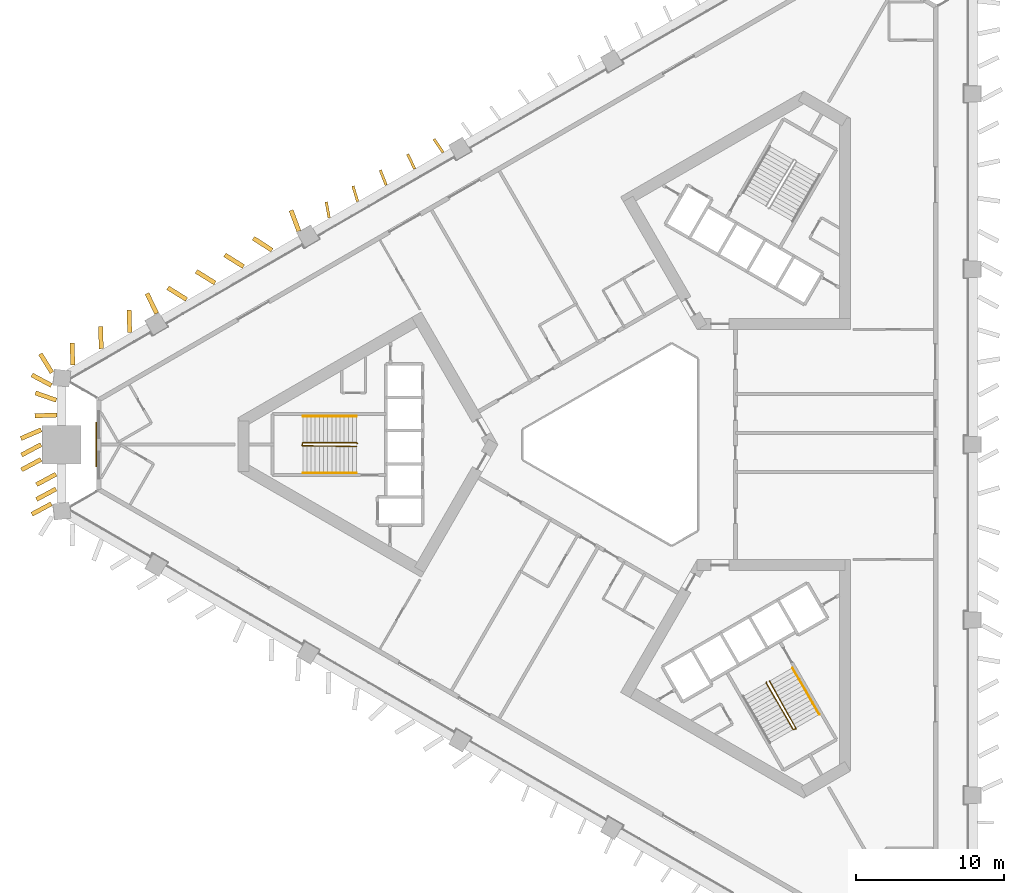
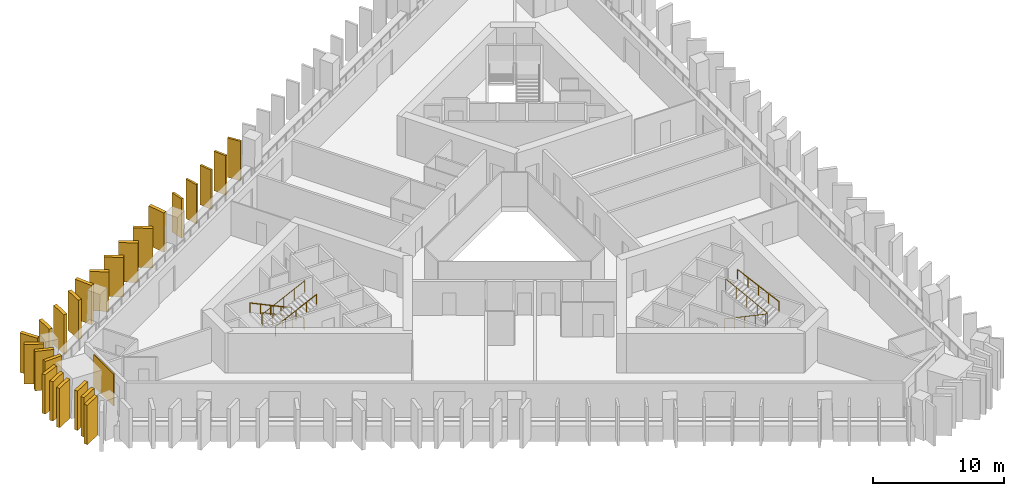
# One storey, part 8 of 10: 24 shading devices, 5 railings, 1 covering.
"""IFC4 building model written with IfcOpenShell, lengths in metres."""

from ifc_helpers import new_model, si_unit, direction, frame, frame_2d, origin, origin_2d, place, context, subcontext, project, spatial, rectangle, circle, extrude, material, layer, layer_set, type_object, element, save


model = new_model("IFC4")

# Units and contexts
model_context = context("Model", 3, precision=1e-05, world=origin(), true_north=direction((0.0, 1.0)))
body_context = subcontext(model_context, "Body", "Model", "MODEL_VIEW")
ifc_project = project(units=[si_unit("LENGTHUNIT", "METRE"), si_unit("AREAUNIT", "SQUARE_METRE"), si_unit("VOLUMEUNIT", "CUBIC_METRE"), si_unit("PLANEANGLEUNIT", "RADIAN"), si_unit("MASSUNIT", "GRAM", prefix="KILO")], contexts=[model_context])

# Site, building, storey
site_placement = place(None, origin())
site = spatial("IfcSite", under=ifc_project, at=site_placement, CompositionType="ELEMENT")
building_placement = place(site_placement, origin())
building = spatial("IfcBuilding", under=site, at=building_placement, Name="Jabali Bay Hotel Tower and Convention Centre", CompositionType="ELEMENT")
storey_placement = place(building_placement, frame((0.0, 0.0, 72.10009765625)))
storey = spatial("IfcBuildingStorey", under=building, at=storey_placement, Name="L16", CompositionType="ELEMENT", Elevation=72.10009765625)

# Shading devices
ifc_material_1 = material(Name="Precast concrete C60", Category="concrete")
ifc_layer_1 = layer(ifc_material_1, 0.179931640625)
ifc_layer_set_1 = layer_set([ifc_layer_1], Name="Precast concrete C60")
shading_device_type_1 = type_object("IfcShadingDeviceType", Name="Precast fin 3680 x 1100", PredefinedType="USERDEFINED", material=ifc_layer_set_1)
shading_device_1_placement = place(storey_placement, frame((62.286376953125, 99.794677734375, 0.010009765625), z_axis=(0.0, 0.0, 1.0), x_axis=(-0.566170838482, 0.824287924, 0.0)))
element("IfcShadingDevice", 1, at=shading_device_1_placement, inside=storey, type_object=shading_device_type_1, Name="Fin L16 051", ObjectType="FIN", PredefinedType="USERDEFINED", context=body_context, shape_type="SweptSolid", body=[
    extrude(rectangle(XDim=1.10009765625, YDim=0.179931640625, at=frame_2d((0.550048828125, 0.0))), origin(), (0.0, 0.0, 1.0), 3.679931640625),
])
shading_device_2_placement = place(storey_placement, frame((60.35888671875, 98.681640625, 0.010009765625), z_axis=(0.0, 0.0, 1.0), x_axis=(-0.43304132225, 0.901374069532, 0.0)))
element("IfcShadingDevice", 2, at=shading_device_2_placement, inside=storey, type_object=shading_device_type_1, Name="Fin L16 052", ObjectType="FIN", PredefinedType="USERDEFINED", context=body_context, shape_type="SweptSolid", body=[
    extrude(rectangle(XDim=1.099853515625, YDim=0.179931640625, at=frame_2d((0.5498046875, 0.0))), origin(), (0.0, 0.0, 1.0), 3.679931640625),
])
for number, where, z_axis, x_axis, name in (
    (3, (58.427734375, 97.574462890625, 0.010009765625), (0.0, 0.0, 1.0), (-0.363763271841, 0.93149142887, 0.0), "Fin L16 053"),
    (4, (56.49658203125, 96.46728515625, 0.010009765625), (0.0, 0.0, 1.0), (-0.291620808255, 0.956534005769, 0.0), "Fin L16 054"),
    (5, (54.56396484375, 95.363037109375, 0.010009765625), (0.0, 0.0, 1.0), (-0.179100265481, 0.983830826364, 0.0), "Fin L16 055"),
):
    element("IfcShadingDevice", number, at=place(storey_placement, frame(where, z_axis=z_axis, x_axis=x_axis)), inside=storey, type_object=shading_device_type_1, Name=name, ObjectType="FIN", PredefinedType="USERDEFINED", context=body_context, shape_type="SweptSolid", body=[
        extrude(rectangle(XDim=1.10009765625, YDim=0.179931640625, at=frame_2d((0.550048828125, 0.0))), origin(), (0.0, 0.0, 1.0), 3.679931640625),
    ])
ifc_layer_2 = layer(ifc_material_1, 0.300048828125)
ifc_layer_set_2 = layer_set([ifc_layer_2], Name="Precast concrete C60")
shading_device_type_2 = type_object("IfcShadingDeviceType", Name="Precast fin 3680 x 1500", PredefinedType="USERDEFINED", material=ifc_layer_set_2)
shading_device_3_placement = place(storey_placement, frame((52.510498046875, 94.468017578125, 0.010009765625), z_axis=(0.0, 0.0, 1.0), x_axis=(-0.351551473659, 0.93616855393, 0.0)))
element("IfcShadingDevice", 6, at=shading_device_3_placement, inside=storey, type_object=shading_device_type_2, Name="Fin L16 056", ObjectType="FIN", PredefinedType="USERDEFINED", context=body_context, shape_type="SweptSolid", body=[
    extrude(rectangle(XDim=1.5, YDim=0.300048828125, at=frame_2d((0.75, 0.0))), origin(), (0.0, 0.0, 1.0), 3.679931640625),
])
shading_device_4_placement = place(storey_placement, frame((50.689453125, 93.170166015625, 0.010009765625), z_axis=(0.0, 0.0, 1.0), x_axis=(-0.840734024662, 0.541448335279, 0.0)))
element("IfcShadingDevice", 7, at=shading_device_4_placement, inside=storey, type_object=shading_device_type_2, Name="Fin L16 057", ObjectType="FIN", PredefinedType="USERDEFINED", context=body_context, shape_type="SweptSolid", body=[
    extrude(rectangle(XDim=1.500244140625, YDim=0.300048828125, at=frame_2d((0.75, 0.0))), origin(), (0.0, 0.0, 1.0), 3.679931640625),
])
for number, where, z_axis, x_axis, name in (
    (8, (48.760986328125, 92.058837890625, 0.010009765625), (0.0, 0.0, 1.0), (-0.847632358654, 0.530584003305, 0.0), "Fin L16 058"),
    (9, (46.8330078125, 90.9462890625, 0.010009765625), (0.0, 0.0, 1.0), (-0.849448988623, 0.527670745567, 0.0), "Fin L16 059"),
    (10, (44.9052734375, 89.833251953125, 0.010009765625), (0.0, 0.0, 1.0), (-0.84994933995, 0.526864422332, 0.0), "Fin L16 060"),
    (11, (42.87939453125, 88.89013671875, 0.010009765625), (0.0, 0.0, 1.0), (-0.440887778179, 0.897562235754, 0.0), "Fin L16 061"),
    (12, (41.0498046875, 87.607421875, 0.010009765625), (0.0, 0.0, 1.0), (-0.030924788426, 0.999521714352, 0.0), "Fin L16 062"),
    (13, (39.1220703125, 86.49462890625, 0.010009765625), (0.0, 0.0, 1.0), (-0.030924788426, 0.999521714352, 0.0), "Fin L16 063"),
    (14, (37.1943359375, 85.381591796875, 0.010009765625), (0.0, 0.0, 1.0), (-0.030924788426, 0.999521714352, 0.0), "Fin L16 064"),
):
    element("IfcShadingDevice", number, at=place(storey_placement, frame(where, z_axis=z_axis, x_axis=x_axis)), inside=storey, type_object=shading_device_type_2, Name=name, ObjectType="FIN", PredefinedType="USERDEFINED", context=body_context, shape_type="SweptSolid", body=[
        extrude(rectangle(XDim=1.5, YDim=0.300048828125, at=frame_2d((0.75, 0.0))), origin(), (0.0, 0.0, 1.0), 3.679931640625),
    ])
shading_device_5_placement = place(storey_placement, frame((35.744873046875, 84.00927734375, 0.010009765625), z_axis=(0.0, 0.0, 1.0), x_axis=(-0.881097417694, 0.472934816368, 0.0)))
element("IfcShadingDevice", 15, at=shading_device_5_placement, inside=storey, type_object=shading_device_type_2, Name="Fin L16 065", ObjectType="FIN", PredefinedType="USERDEFINED", context=body_context, shape_type="SweptSolid", body=[
    extrude(rectangle(XDim=1.500244140625, YDim=0.300048828125, at=frame_2d((0.75, 0.0))), origin(), (0.0, 0.0, 1.0), 3.679931640625),
])
for number, where, z_axis, x_axis, name in (
    (16, (36.075927734375, 83.0068359375, 0.010009765625), (0.0, 0.0, 1.0), (-0.944129534087, 0.329574608951, 0.0), "Fin L16 066"),
    (17, (36.119873046875, 82.004638671875, 0.010009765625), (0.0, 0.0, 1.0), (-0.999323279828, -0.036782908997, 0.0), "Fin L16 067"),
):
    element("IfcShadingDevice", number, at=place(storey_placement, frame(where, z_axis=z_axis, x_axis=x_axis)), inside=storey, type_object=shading_device_type_2, Name=name, ObjectType="FIN", PredefinedType="USERDEFINED", context=body_context, shape_type="SweptSolid", body=[
        extrude(rectangle(XDim=1.5, YDim=0.300048828125, at=frame_2d((0.75, 0.0))), origin(), (0.0, 0.0, 1.0), 3.679931640625),
    ])
shading_device_6_placement = place(storey_placement, frame((35.0537109375, 81.002197265625, 0.010009765625), z_axis=(0.0, 0.0, 1.0), x_axis=(-0.918782576, -0.394763952303, 0.0)))
element("IfcShadingDevice", 18, at=shading_device_6_placement, inside=storey, type_object=shading_device_type_2, Name="Fin L16 068", ObjectType="FIN", PredefinedType="USERDEFINED", context=body_context, shape_type="SweptSolid", body=[
    extrude(rectangle(XDim=1.499755859375, YDim=0.300048828125, at=frame_2d((0.75, 0.0))), origin(), (0.0, 0.0, 1.0), 3.679931640625),
])
for number, where, z_axis, x_axis, name in (
    (19, (35.0419921875, 80.0, 0.010009765625), (0.0, 0.0, 1.0), (-0.881061009287, -0.473002640493, 0.0), "Fin L16 069"),
    (20, (35.0419921875, 78.997802734375, 0.010009765625), (0.0, 0.0, 1.0), (-0.880993173002, -0.473128977261, 0.0), "Fin L16 070"),
    (21, (36.054443359375, 77.995361328125, 0.010009765625), (0.0, 0.0, 1.0), (-0.881061009287, -0.473002640493, 0.0), "Fin L16 071"),
    (22, (36.054443359375, 76.9931640625, 0.010009765625), (0.0, 0.0, 1.0), (-0.880993173002, -0.473128977261, 0.0), "Fin L16 072"),
):
    element("IfcShadingDevice", number, at=place(storey_placement, frame(where, z_axis=z_axis, x_axis=x_axis)), inside=storey, type_object=shading_device_type_2, Name=name, ObjectType="FIN", PredefinedType="USERDEFINED", context=body_context, shape_type="SweptSolid", body=[
        extrude(rectangle(XDim=1.5, YDim=0.300048828125, at=frame_2d((0.75, 0.0))), origin(), (0.0, 0.0, 1.0), 3.679931640625),
    ])
shading_device_7_placement = place(storey_placement, frame((35.744873046875, 75.99072265625, 0.010009765625), z_axis=(0.0, 0.0, 1.0), x_axis=(-0.881097417694, -0.472934816368, 0.0)))
element("IfcShadingDevice", 23, at=shading_device_7_placement, inside=storey, type_object=shading_device_type_2, Name="Fin L16 073", ObjectType="FIN", PredefinedType="USERDEFINED", context=body_context, shape_type="SweptSolid", body=[
    extrude(rectangle(XDim=1.500244140625, YDim=0.300048828125, at=frame_2d((0.75, 0.0))), origin(), (0.0, 0.0, 1.0), 3.679931640625),
])
shading_device_8_placement = place(storey_placement, frame((35.782958984375, 84.873779296875, 0.010009765625), z_axis=(0.0, 0.0, 1.0), x_axis=(-0.526556326097, 0.850140244576, 0.0)))
element("IfcShadingDevice", 24, at=shading_device_8_placement, inside=storey, type_object=shading_device_type_2, Name="Fin L16 114", ObjectType="FIN", PredefinedType="USERDEFINED", context=body_context, shape_type="SweptSolid", body=[
    extrude(rectangle(XDim=1.5, YDim=0.300048828125, at=frame_2d((0.75, 0.0))), origin(), (0.0, 0.0, 1.0), 3.679931640625),
])

# Covering
ifc_material_2 = material(Name="Precast concrete C40/50", Category="concrete")
ifc_layer_3 = layer(ifc_material_2, 0.080078125)
ifc_layer_set_3 = layer_set([ifc_layer_3], Name="Precast concrete C40/50")
covering_type = type_object("IfcCoveringType", Name="Relief panel 3000 x 3000", PredefinedType="CLADDING", material=ifc_layer_set_3)
covering_placement = place(storey_placement, frame((38.772216796875, 80.0, 0.099853515625), z_axis=(0.0, 0.0, 1.0), x_axis=(0.0, 1.0, 0.0)))
element("IfcCovering", 25, at=covering_placement, inside=storey, type_object=covering_type, Name="Relief panel L16", PredefinedType="CLADDING", context=body_context, shape_type="SweptSolid", body=[
    extrude(rectangle(XDim=3.0, YDim=0.080078125, at=origin_2d()), origin(), (0.0, 0.0, 1.0), 3.0),
])

# Railings
ifc_material_3 = material(Name="Steel Q355B", Category="steel")
railing_type_1 = type_object("IfcRailingType", Name="Stair guard 1100", PredefinedType="GUARDRAIL", material=ifc_material_3)
railing_1_placement = place(storey_placement, frame((56.469970703125, 80.074951171875, 0.0)))
element("IfcRailing", 26, at=railing_1_placement, inside=storey, type_object=railing_type_1, Name="L16 ST1 stair guard 1", PredefinedType="GUARDRAIL", context=body_context, shape_type="SweptSolid", body=[
    extrude(circle(Radius=0.02392578125, at=origin_2d()), frame((0.0, 0.0, 1.076171875), z_axis=(-0.333993628408, 0.333993628408, 0.881417331555), x_axis=(-0.707106781187, -0.707106781187, 0.0)), (0.0, 0.0, 1.0), 0.14990234375),
    extrude(circle(Radius=0.02392578125, at=origin_2d()), frame((-0.050048828125, 0.050048828125, 1.2080078125), z_axis=(-0.904350763662, 0.0, 0.426789990819), x_axis=(0.0, -1.0, 0.0)), (0.0, 0.0, 1.0), 4.02490234375),
    extrude(circle(Radius=0.02392578125, at=origin_2d()), frame((-3.68994140625, 0.050048828125, 2.92578125), z_axis=(-0.242814311512, -0.970072785993, 0.0), x_axis=(0.970072785993, -0.242814311512, 0.0)), (0.0, 0.0, 1.0), 0.2060546875),
    extrude(circle(Radius=0.02392578125, at=origin_2d()), frame((-3.739990234375, -0.14990234375, 2.92578125), z_axis=(0.893864111827, -0.012124000458, 0.448174026692), x_axis=(0.013562335953, 0.999908027292, 0.0)), (0.0, 0.0, 1.0), 4.128173828125),
    extrude(circle(Radius=0.02099609375, at=origin_2d()), origin(), (0.0, 0.0, 1.0), 1.052001953125),
    extrude(circle(Radius=0.02099609375, at=origin_2d()), frame((-0.050048828125, 0.050048828125, 0.132080078125)), (0.0, 0.0, 1.0), 1.052001953125),
    extrude(circle(Radius=0.02099609375, at=origin_2d()), frame((-0.9599609375, 0.050048828125, 0.5615234375)), (0.0, 0.0, 1.0), 1.052001953125),
    extrude(circle(Radius=0.02099609375, at=origin_2d()), frame((-1.8701171875, 0.050048828125, 0.990966796875)), (0.0, 0.0, 1.0), 1.052001953125),
    extrude(circle(Radius=0.02099609375, at=origin_2d()), frame((-2.780029296875, 0.050048828125, 1.42041015625)), (0.0, 0.0, 1.0), 1.052001953125),
    extrude(circle(Radius=0.02099609375, at=origin_2d()), frame((-3.68994140625, 0.050048828125, 1.849853515625)), (0.0, 0.0, 1.0), 1.052001953125),
    extrude(circle(Radius=0.02099609375, at=origin_2d()), frame((-3.739990234375, -0.14990234375, 1.849853515625)), (0.0, 0.0, 1.0), 1.052001953125),
    extrude(circle(Radius=0.02099609375, at=origin_2d()), frame((-2.8173828125, -0.162353515625, 2.3125)), (0.0, 0.0, 1.0), 1.052001953125),
    extrude(circle(Radius=0.02099609375, at=origin_2d()), frame((-1.89501953125, -0.1748046875, 2.77490234375)), (0.0, 0.0, 1.0), 1.052001953125),
    extrude(circle(Radius=0.02099609375, at=origin_2d()), frame((-0.97265625, -0.1875, 3.2373046875)), (0.0, 0.0, 1.0), 1.052001953125),
    extrude(circle(Radius=0.02099609375, at=origin_2d()), frame((-0.050048828125, -0.199951171875, 3.699951171875)), (0.0, 0.0, 1.0), 1.052001953125),
])
railing_2_placement = place(storey_placement, frame((84.199951171875, 63.9150390625, 0.0)))
element("IfcRailing", 27, at=railing_2_placement, inside=storey, type_object=railing_type_1, Name="L16 ST3 stair guard 1", PredefinedType="GUARDRAIL", context=body_context, shape_type="SweptSolid", body=[
    extrude(circle(Radius=0.02392578125, at=origin_2d()), frame((0.0, 0.0, 1.076171875), z_axis=(-0.122196845461, -0.456201556387, 0.881446578591), x_axis=(0.965948051503, -0.258736085224, 0.0)), (0.0, 0.0, 1.0), 0.14990234375),
    extrude(circle(Radius=0.02392578125, at=origin_2d()), frame((-0.018310546875, -0.068359375, 1.2080078125), z_axis=(0.452190331055, -0.783190014029, 0.426775475427), x_axis=(0.866018046521, 0.500012742938, 0.0)), (0.0, 0.0, 1.0), 4.02490234375),
    extrude(circle(Radius=0.02392578125, at=origin_2d()), frame((1.8017578125, -3.220703125, 2.92578125), z_axis=(0.96121063429, 0.275815366736, 0.0), x_axis=(-0.275815366736, 0.96121063429, 0.0)), (0.0, 0.0, 1.0), 0.206298828125),
    extrude(circle(Radius=0.02392578125, at=origin_2d()), frame((2.0, -3.163818359375, 2.92578125), z_axis=(-0.436470229993, 0.780146179382, 0.448180406895), x_axis=(-0.872702246529, -0.488252792008, 0.0)), (0.0, 0.0, 1.0), 4.1279296875),
    extrude(circle(Radius=0.02099609375, at=origin_2d()), origin(), (0.0, 0.0, 1.0), 1.052001953125),
    extrude(circle(Radius=0.02099609375, at=origin_2d()), frame((-0.018310546875, -0.068359375, 0.132080078125)), (0.0, 0.0, 1.0), 1.052001953125),
    extrude(circle(Radius=0.02099609375, at=origin_2d()), frame((0.436767578125, -0.8564453125, 0.5615234375)), (0.0, 0.0, 1.0), 1.052001953125),
    extrude(circle(Radius=0.02099609375, at=origin_2d()), frame((0.8916015625, -1.64453125, 0.990966796875)), (0.0, 0.0, 1.0), 1.052001953125),
    extrude(circle(Radius=0.02099609375, at=origin_2d()), frame((1.3466796875, -2.4326171875, 1.42041015625)), (0.0, 0.0, 1.0), 1.052001953125),
    extrude(circle(Radius=0.02099609375, at=origin_2d()), frame((1.8017578125, -3.220703125, 1.849853515625)), (0.0, 0.0, 1.0), 1.052001953125),
    extrude(circle(Radius=0.02099609375, at=origin_2d()), frame((2.0, -3.163818359375, 1.849853515625)), (0.0, 0.0, 1.0), 1.052001953125),
    extrude(circle(Radius=0.02099609375, at=origin_2d()), frame((1.549560546875, -2.358642578125, 2.3125)), (0.0, 0.0, 1.0), 1.052001953125),
    extrude(circle(Radius=0.02099609375, at=origin_2d()), frame((1.09912109375, -1.5537109375, 2.77490234375)), (0.0, 0.0, 1.0), 1.052001953125),
    extrude(circle(Radius=0.02099609375, at=origin_2d()), frame((0.648681640625, -0.74853515625, 3.2373046875)), (0.0, 0.0, 1.0), 1.052001953125),
    extrude(circle(Radius=0.02099609375, at=origin_2d()), frame((0.1982421875, 0.056640625, 3.699951171875)), (0.0, 0.0, 1.0), 1.052001953125),
])
railing_type_2 = type_object("IfcRailingType", Name="Stair handrail 900", PredefinedType="HANDRAIL", material=ifc_material_3)
railing_3_placement = place(storey_placement, frame((56.419921875, 81.925048828125, 0.132080078125)))
element("IfcRailing", 28, at=railing_3_placement, inside=storey, type_object=railing_type_2, Name="L16 ST1 stair handrail 1", PredefinedType="HANDRAIL", context=body_context, shape_type="SweptSolid", body=[
    extrude(circle(Radius=0.02392578125, at=origin_2d()), frame((0.0, 0.0, 0.8759765625), z_axis=(-0.904350763662, 0.0, 0.426789990819), x_axis=(0.0, -1.0, 0.0)), (0.0, 0.0, 1.0), 4.02490234375),
    extrude(circle(Radius=0.02099609375, at=origin_2d()), origin(), (0.0, 0.0, 1.0), 0.851806640625),
    extrude(circle(Radius=0.02099609375, at=origin_2d()), frame((-0.909912109375, 0.0, 0.429443359375)), (0.0, 0.0, 1.0), 0.851806640625),
    extrude(circle(Radius=0.02099609375, at=origin_2d()), frame((-1.81982421875, 0.0, 0.85888671875)), (0.0, 0.0, 1.0), 0.851806640625),
    extrude(circle(Radius=0.02099609375, at=origin_2d()), frame((-2.72998046875, 0.0, 1.288330078125)), (0.0, 0.0, 1.0), 0.851806640625),
    extrude(circle(Radius=0.02099609375, at=origin_2d()), frame((-3.639892578125, 0.0, 1.7177734375)), (0.0, 0.0, 1.0), 0.851806640625),
])
railing_4_placement = place(storey_placement, frame((52.780029296875, 78.074951171875, 1.98193359375)))
element("IfcRailing", 29, at=railing_4_placement, inside=storey, type_object=railing_type_2, Name="L16 ST1 stair handrail 2", PredefinedType="HANDRAIL", context=body_context, shape_type="SweptSolid", body=[
    extrude(circle(Radius=0.02392578125, at=origin_2d()), frame((0.0, 0.0, 0.8759765625), z_axis=(0.904327350853, 0.0, 0.426839598092), x_axis=(0.0, 1.0, 0.0)), (0.0, 0.0, 1.0), 4.02490234375),
    extrude(circle(Radius=0.02099609375, at=origin_2d()), origin(), (0.0, 0.0, 1.0), 0.851806640625),
    extrude(circle(Radius=0.02099609375, at=origin_2d()), frame((0.909912109375, 0.0, 0.429443359375)), (0.0, 0.0, 1.0), 0.851806640625),
    extrude(circle(Radius=0.02099609375, at=origin_2d()), frame((1.81982421875, 0.0, 0.85888671875)), (0.0, 0.0, 1.0), 0.851806640625),
    extrude(circle(Radius=0.02099609375, at=origin_2d()), frame((2.72998046875, 0.0, 1.28857421875)), (0.0, 0.0, 1.0), 0.851806640625),
    extrude(circle(Radius=0.02099609375, at=origin_2d()), frame((3.639892578125, 0.0, 1.718017578125)), (0.0, 0.0, 1.0), 0.851806640625),
])
railing_5_placement = place(storey_placement, frame((87.777099609375, 61.719482421875, 1.98193359375)))
element("IfcRailing", 30, at=railing_5_placement, inside=storey, type_object=railing_type_2, Name="L16 ST3 stair handrail 2", PredefinedType="HANDRAIL", context=body_context, shape_type="SweptSolid", body=[
    extrude(circle(Radius=0.02392578125, at=origin_2d()), frame((0.0, 0.0, 0.8759765625), z_axis=(-0.45217862506, 0.783169739339, 0.426825081763), x_axis=(-0.866018046521, -0.500012742938, 0.0)), (0.0, 0.0, 1.0), 4.025146484375),
    extrude(circle(Radius=0.02099609375, at=origin_2d()), origin(), (0.0, 0.0, 1.0), 0.851806640625),
    extrude(circle(Radius=0.02099609375, at=origin_2d()), frame((-0.455078125, 0.7880859375, 0.429443359375)), (0.0, 0.0, 1.0), 0.851806640625),
    extrude(circle(Radius=0.02099609375, at=origin_2d()), frame((-0.91015625, 1.576171875, 0.85888671875)), (0.0, 0.0, 1.0), 0.851806640625),
    extrude(circle(Radius=0.02099609375, at=origin_2d()), frame((-1.364990234375, 2.3642578125, 1.28857421875)), (0.0, 0.0, 1.0), 0.851806640625),
    extrude(circle(Radius=0.02099609375, at=origin_2d()), frame((-1.820068359375, 3.15234375, 1.718017578125)), (0.0, 0.0, 1.0), 0.851806640625),
])

save(model, "model.ifc")
